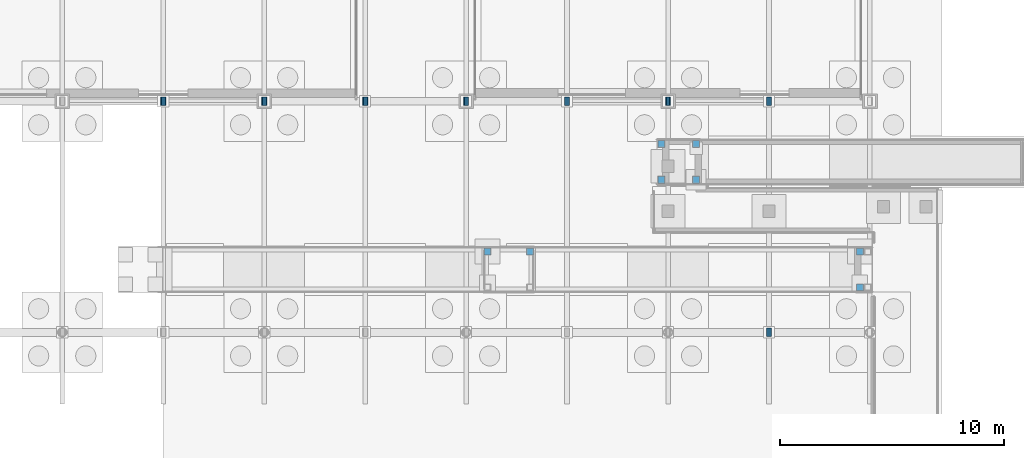
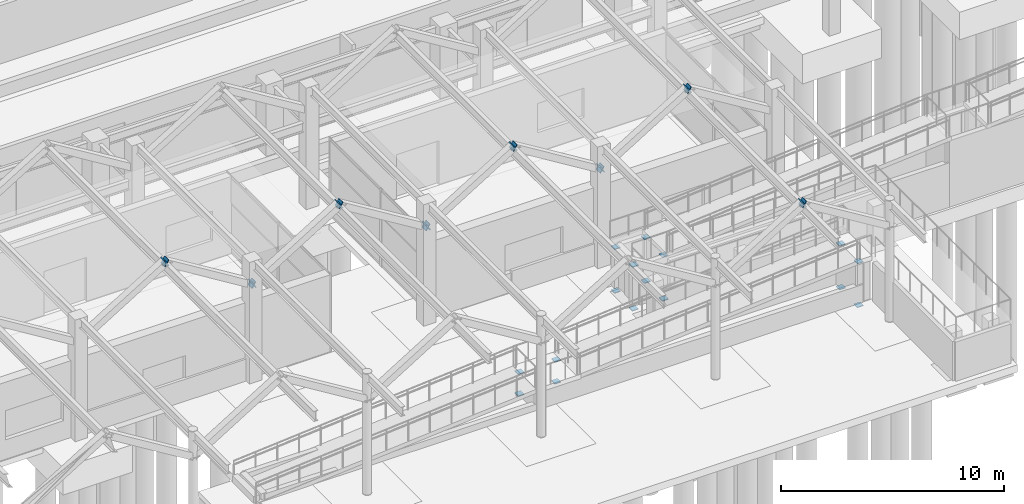
# One storey, part 118 of 160: 32 discrete accessories.
"""IFC4 building model written with IfcOpenShell, lengths in metres."""

from ifc_helpers import new_model, si_unit, direction, frame, origin, origin_2d, place, context, subcontext, project, spatial, rectangle, extrude, material, element, save


model = new_model("IFC4")

# Units and contexts
model_context = context("Model", 3, precision=1e-05, world=origin(), true_north=direction((0.0, 1.0)))
body_context = subcontext(model_context, "Body", "Model", "MODEL_VIEW")
ifc_project = project(units=[si_unit("LENGTHUNIT", "METRE"), si_unit("AREAUNIT", "SQUARE_METRE"), si_unit("VOLUMEUNIT", "CUBIC_METRE"), si_unit("PLANEANGLEUNIT", "RADIAN"), si_unit("MASSUNIT", "GRAM", prefix="KILO")], contexts=[model_context])

# Site, building, storey
site_placement = place(None, origin())
site = spatial("IfcSite", under=ifc_project, at=site_placement, CompositionType="ELEMENT")
building_placement = place(site_placement, origin())
building = spatial("IfcBuilding", under=site, at=building_placement, Name="Marlcrest Central Station", CompositionType="ELEMENT")
storey_placement = place(building_placement, origin())
storey = spatial("IfcBuildingStorey", under=building, at=storey_placement, Name="L00", CompositionType="ELEMENT", Elevation=0.0)

# Discrete accessories
ifc_material = material(Name="Steel S355", Category="steel")
for number, where, z_axis, x_axis, name in (
    (1, (31.478759765625, 22.5, 7.956787109375), (0.851591684043, 0.0, 0.524205688322), (0.0, 1.0, 0.0), "endcap-mem-ST-02-L00-00039-e"),
    (2, (36.0126953125, 22.5, 5.192138671875), (-0.851591684043, 0.0, 0.524205688322), (0.0, -1.0, 0.0), "endcap-mem-ST-02-L00-00040-s"),
    (3, (31.521240234375, 22.5, 7.956787109375), (-0.851591684043, 0.0, 0.524205688322), (0.0, -1.0, 0.0), "endcap-mem-ST-02-L00-00040-e"),
    (4, (35.9873046875, 22.5, 5.192138671875), (0.851591684043, 0.0, 0.524205688322), (0.0, 1.0, 0.0), "endcap-mem-ST-02-L00-00045-s"),
    (5, (40.478759765625, 22.5, 7.956787109375), (0.851591684043, 0.0, 0.524205688322), (0.0, 1.0, 0.0), "endcap-mem-ST-02-L00-00045-e"),
    (6, (45.0126953125, 22.5, 5.192138671875), (-0.851591684043, 0.0, 0.524205688322), (0.0, -1.0, 0.0), "endcap-mem-ST-02-L00-00046-s"),
    (7, (40.521240234375, 22.5, 7.956787109375), (-0.851591684043, 0.0, 0.524205688322), (0.0, -1.0, 0.0), "endcap-mem-ST-02-L00-00046-e"),
    (8, (44.9873046875, 22.5, 5.192138671875), (0.851591684043, 0.0, 0.524205688322), (0.0, 1.0, 0.0), "endcap-mem-ST-02-L00-00051-s"),
    (9, (49.478759765625, 22.5, 7.956787109375), (0.851591684043, 0.0, 0.524205688322), (0.0, 1.0, 0.0), "endcap-mem-ST-02-L00-00051-e"),
    (10, (54.0126953125, 22.5, 5.192138671875), (-0.851591684043, 0.0, 0.524205688322), (0.0, -1.0, 0.0), "endcap-mem-ST-02-L00-00052-s"),
    (11, (49.521240234375, 22.5, 7.956787109375), (-0.851591684043, 0.0, 0.524205688322), (0.0, -1.0, 0.0), "endcap-mem-ST-02-L00-00052-e"),
    (12, (58.478759765625, 12.199951171875, 7.956787109375), (0.851591684043, 0.0, 0.524205688322), (0.0, 1.0, 0.0), "endcap-mem-ST-02-L00-00055-e"),
    (13, (58.521240234375, 12.199951171875, 7.956787109375), (-0.851591684043, 0.0, 0.524205688322), (0.0, -1.0, 0.0), "endcap-mem-ST-02-L00-00056-e"),
    (14, (53.9873046875, 22.5, 5.192138671875), (0.851591684043, 0.0, 0.524205688322), (0.0, 1.0, 0.0), "endcap-mem-ST-02-L00-00057-s"),
    (15, (58.478759765625, 22.5, 7.956787109375), (0.851591684043, 0.0, 0.524205688322), (0.0, 1.0, 0.0), "endcap-mem-ST-02-L00-00057-e"),
    (16, (58.521240234375, 22.5, 7.956787109375), (-0.851591684043, 0.0, 0.524205688322), (0.0, -1.0, 0.0), "endcap-mem-ST-02-L00-00058-e"),
):
    element("IfcDiscreteAccessory", number, at=place(storey_placement, frame(where, z_axis=z_axis, x_axis=x_axis)), inside=storey, material=ifc_material, Name=name, ObjectType="END_CAP_PLATE", PredefinedType="BRACKET", context=body_context, shape_type="SweptSolid", body=[
        extrude(rectangle(XDim=0.365966796875, YDim=0.365966796875, at=origin_2d()), origin(), (0.0, 0.0, 1.0), 0.0400390625),
    ])
for number, where, z_axis, x_axis, name in (
    (17, (45.949951171875, 15.800048828125, -0.264892578125), (0.0, 0.0, 1.0), (1.0, 0.0, 0.0), "endcap-ramp-01-ldcol-2-459-158-s"),
    (18, (45.949951171875, 15.800048828125, 0.925048828125), (0.0, 0.0, 1.0), (1.0, 0.0, 0.0), "endcap-ramp-01-ldcol-2-459-158-e"),
    (19, (47.85009765625, 15.800048828125, -0.264892578125), (0.0, 0.0, 1.0), (1.0, 0.0, 0.0), "endcap-ramp-01-ldcol-2-478-158-s"),
    (20, (47.85009765625, 15.800048828125, 0.925048828125), (0.0, 0.0, 1.0), (1.0, 0.0, 0.0), "endcap-ramp-01-ldcol-2-478-158-e"),
    (21, (62.550048828125, 14.199951171875, -0.264892578125), (0.0, 0.0, 1.0), (1.0, 0.0, 0.0), "endcap-ramp-01-ldcol-3-625-142-s"),
    (22, (62.550048828125, 14.199951171875, 2.125), (0.0, 0.0, 1.0), (1.0, 0.0, 0.0), "endcap-ramp-01-ldcol-3-625-142-e"),
    (23, (62.550048828125, 15.800048828125, -0.264892578125), (0.0, 0.0, 1.0), (1.0, 0.0, 0.0), "endcap-ramp-01-ldcol-3-625-158-s"),
    (24, (62.550048828125, 15.800048828125, 2.125), (0.0, 0.0, 1.0), (1.0, 0.0, 0.0), "endcap-ramp-01-ldcol-3-625-158-e"),
    (25, (53.699951171875, 19.0, -0.264892578125), (0.0, 0.0, 1.0), (1.0, 0.0, 0.0), "endcap-ramp-02-ldcol-1-537-190-s"),
    (26, (53.699951171875, 19.0, 2.125), (0.0, 0.0, 1.0), (1.0, 0.0, 0.0), "endcap-ramp-02-ldcol-1-537-190-e"),
    (27, (53.699951171875, 20.60009765625, -0.264892578125), (0.0, 0.0, 1.0), (1.0, 0.0, 0.0), "endcap-ramp-02-ldcol-1-537-206-s"),
    (28, (53.699951171875, 20.60009765625, 2.125), (0.0, 0.0, 1.0), (1.0, 0.0, 0.0), "endcap-ramp-02-ldcol-1-537-206-e"),
    (29, (55.25, 19.0, -0.264892578125), (0.0, 0.0, 1.0), (1.0, 0.0, 0.0), "endcap-ramp-02-ldcol-1-552-190-s"),
    (30, (55.25, 19.0, 2.125), (0.0, 0.0, 1.0), (1.0, 0.0, 0.0), "endcap-ramp-02-ldcol-1-552-190-e"),
    (31, (55.25, 20.60009765625, -0.264892578125), (0.0, 0.0, 1.0), (1.0, 0.0, 0.0), "endcap-ramp-02-ldcol-1-552-206-s"),
    (32, (55.25, 20.60009765625, 2.125), (0.0, 0.0, 1.0), (1.0, 0.0, 0.0), "endcap-ramp-02-ldcol-1-552-206-e"),
):
    element("IfcDiscreteAccessory", number, at=place(storey_placement, frame(where, z_axis=z_axis, x_axis=x_axis)), inside=storey, material=ifc_material, Name=name, ObjectType="END_CAP_PLATE", PredefinedType="BRACKET", context=body_context, shape_type="SweptSolid", body=[
        extrude(rectangle(XDim=0.31591796875, YDim=0.31591796875, at=origin_2d()), origin(), (0.0, 0.0, 1.0), 0.0400390625),
    ])

save(model, "model.ifc")
